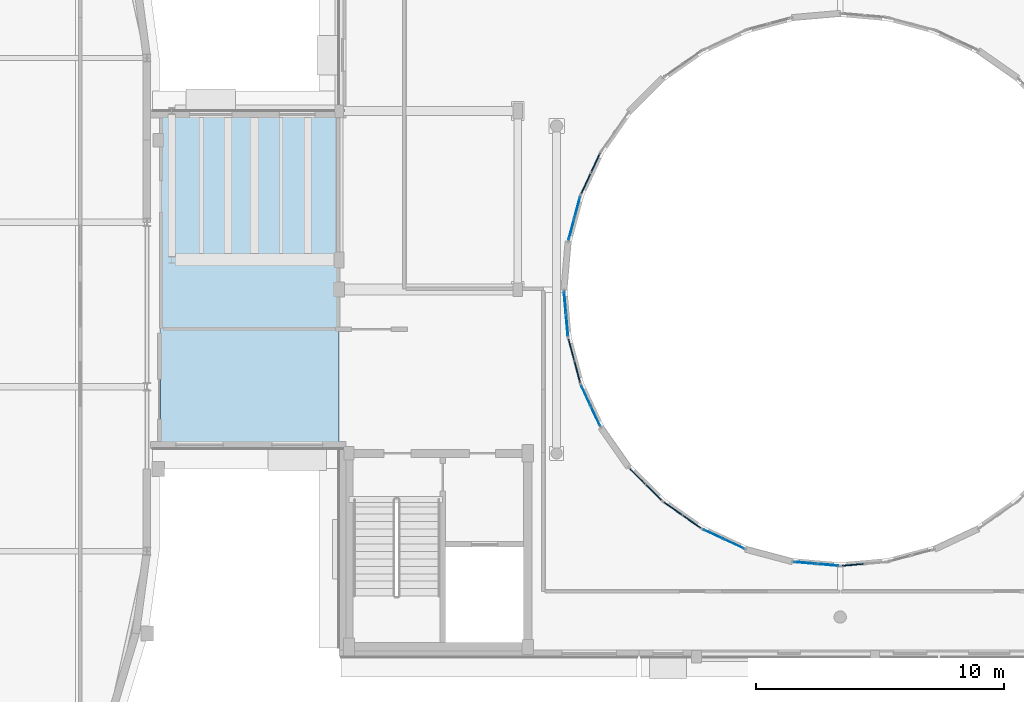
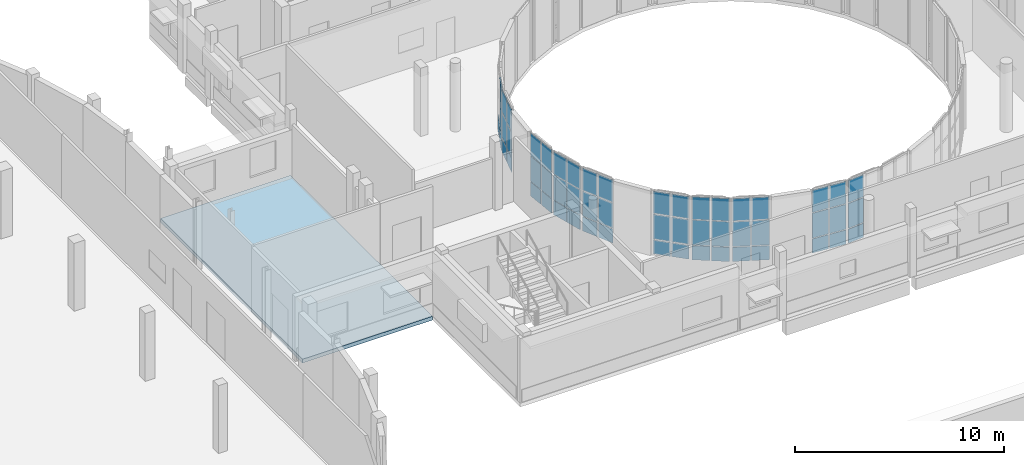
# One storey, part 62 of 105: 55 plates, 1 slab, 10 elements without a shape of their own.
"""IFC4 building model written with IfcOpenShell, lengths in metres."""

from ifc_helpers import new_model, si_unit, direction, frame, origin, origin_2d, place, context, subcontext, project, spatial, polyline, rectangle, outline, extrude, material, layer, layer_set, type_object, element, aggregate, save


model = new_model("IFC4")

# Units and contexts
model_context = context("Model", 3, precision=1e-05, world=origin(), true_north=direction((0.0, 1.0)))
body_context = subcontext(model_context, "Body", "Model", "MODEL_VIEW")
ifc_project = project(units=[si_unit("LENGTHUNIT", "METRE"), si_unit("AREAUNIT", "SQUARE_METRE"), si_unit("VOLUMEUNIT", "CUBIC_METRE"), si_unit("PLANEANGLEUNIT", "RADIAN"), si_unit("MASSUNIT", "GRAM", prefix="KILO")], contexts=[model_context])

# Site, building, storey
site_placement = place(None, origin())
site = spatial("IfcSite", under=ifc_project, at=site_placement, CompositionType="ELEMENT")
building_placement = place(site_placement, origin())
building = spatial("IfcBuilding", under=site, at=building_placement, Name="Kelanivale Promenade Academy", CompositionType="ELEMENT")
storey_placement = place(building_placement, frame((0.0, 0.0, 4.199951171875)))
storey = spatial("IfcBuildingStorey", under=building, at=storey_placement, Name="L01", CompositionType="ELEMENT", Elevation=4.199951171875)

# Curtain wall, plates
ifc_material_1 = material(Name="Bronze anodised aluminium and solar-control low-E glass", Category="aluminium")
ifc_layer_1 = layer(ifc_material_1, 0.169921875)
ifc_layer_set_1 = layer_set([ifc_layer_1], Name="Bronze anodised aluminium and solar-control low-E glass")
curtain_wall_type_1 = type_object("IfcCurtainWallType", Name="CW-16 Curtain Wall 1800mm Module", PredefinedType="USERDEFINED", material=ifc_layer_set_1)
curtain_wall_1_placement = place(storey_placement, origin())
curtain_wall_1 = element("IfcCurtainWall", 1, at=curtain_wall_1_placement, inside=storey, type_object=curtain_wall_type_1, Name="L01 courtyard curtain wall CW-16", ObjectType="COURTYARD SCREEN GLAZING", PredefinedType="USERDEFINED")
ifc_material_2 = material(Name="Solar-control double glazing 28 mm", Category="glass")
ifc_layer_2 = layer(ifc_material_2, 0.028076171875)
ifc_layer_set_2 = layer_set([ifc_layer_2], Name="Solar-control double glazing 28 mm")
plate_type_1 = type_object("IfcPlateType", Name="CWP-01 Plate 28mm", PredefinedType="CURTAIN_PANEL", material=ifc_layer_set_2)
plate_1_placement = place(storey_placement, frame((52.80078125, 60.122802734375, 0.06005859375), z_axis=(0.0, 0.0, 1.0), x_axis=(-0.258578458902, -0.965990259056, 0.0)))
plate_1 = element("IfcPlate", 2, at=plate_1_placement, type_object=plate_type_1, Name="CW-16 panel 1.1", PredefinedType="CURTAIN_PANEL", context=body_context, shape_type="SweptSolid", body=[
    extrude(rectangle(XDim=0.853759765625, YDim=0.028076171875, at=origin_2d()), origin(), (0.0, 0.0, 1.0), 0.81005859375),
])
plate_2_placement = place(storey_placement, frame((52.80078125, 60.122802734375, 0.93017578125), z_axis=(0.0, 0.0, 1.0), x_axis=(-0.258578458902, -0.965990259056, 0.0)))
plate_2 = element("IfcPlate", 3, at=plate_2_placement, type_object=plate_type_1, Name="CW-16 panel 1.2", PredefinedType="CURTAIN_PANEL", context=body_context, shape_type="SweptSolid", body=[
    extrude(rectangle(XDim=0.853759765625, YDim=0.028076171875, at=origin_2d()), origin(), (0.0, 0.0, 1.0), 1.43994140625),
])
plate_3_placement = place(storey_placement, frame((52.80078125, 60.122802734375, 2.429931640625), z_axis=(0.0, 0.0, 1.0), x_axis=(-0.258578458902, -0.965990259056, 0.0)))
plate_3 = element("IfcPlate", 4, at=plate_3_placement, type_object=plate_type_1, Name="CW-16 panel 1.3", PredefinedType="CURTAIN_PANEL", context=body_context, shape_type="SweptSolid", body=[
    extrude(rectangle(XDim=0.853759765625, YDim=0.028076171875, at=origin_2d()), origin(), (0.0, 0.0, 1.0), 1.2900390625),
])
plate_4_placement = place(storey_placement, frame((52.563232421875, 59.235107421875, 0.06005859375), z_axis=(0.0, 0.0, 1.0), x_axis=(-0.258578458902, -0.965990259056, 0.0)))
plate_4 = element("IfcPlate", 5, at=plate_4_placement, type_object=plate_type_1, Name="CW-16 panel 2.1", PredefinedType="CURTAIN_PANEL", context=body_context, shape_type="SweptSolid", body=[
    extrude(rectangle(XDim=0.853759765625, YDim=0.028076171875, at=origin_2d()), origin(), (0.0, 0.0, 1.0), 0.81005859375),
])
plate_5_placement = place(storey_placement, frame((52.563232421875, 59.235107421875, 0.93017578125), z_axis=(0.0, 0.0, 1.0), x_axis=(-0.258578458902, -0.965990259056, 0.0)))
plate_5 = element("IfcPlate", 6, at=plate_5_placement, type_object=plate_type_1, Name="CW-16 panel 2.2", PredefinedType="CURTAIN_PANEL", context=body_context, shape_type="SweptSolid", body=[
    extrude(rectangle(XDim=0.853759765625, YDim=0.028076171875, at=origin_2d()), origin(), (0.0, 0.0, 1.0), 1.43994140625),
])
plate_6_placement = place(storey_placement, frame((52.563232421875, 59.235107421875, 2.429931640625), z_axis=(0.0, 0.0, 1.0), x_axis=(-0.258578458902, -0.965990259056, 0.0)))
plate_6 = element("IfcPlate", 7, at=plate_6_placement, type_object=plate_type_1, Name="CW-16 panel 2.3", PredefinedType="CURTAIN_PANEL", context=body_context, shape_type="SweptSolid", body=[
    extrude(rectangle(XDim=0.853759765625, YDim=0.028076171875, at=origin_2d()), origin(), (0.0, 0.0, 1.0), 1.2900390625),
])
aggregate(curtain_wall_1, [plate_1, plate_2, plate_3, plate_4, plate_5, plate_6])

ifc_layer_3 = layer(ifc_material_1, 0.169921875)
ifc_layer_set_3 = layer_set([ifc_layer_3], Name="Bronze anodised aluminium and solar-control low-E glass")
curtain_wall_type_2 = type_object("IfcCurtainWallType", Name="CW-19 Curtain Wall 1350mm Module", PredefinedType="USERDEFINED", material=ifc_layer_set_3)
curtain_wall_2_placement = place(storey_placement, origin())
curtain_wall_2 = element("IfcCurtainWall", 8, at=curtain_wall_2_placement, inside=storey, type_object=curtain_wall_type_2, Name="L01 courtyard curtain wall CW-19", ObjectType="COURTYARD SCREEN GLAZING", PredefinedType="USERDEFINED")
plate_7_placement = place(storey_placement, frame((53.14404296875, 52.533203125, 0.05029296875), z_axis=(0.0, 0.0, 1.0), x_axis=(0.423086860887, -0.906089128146, 0.0)))
plate_7 = element("IfcPlate", 9, at=plate_7_placement, type_object=plate_type_1, Name="CW-19 panel 1.1", PredefinedType="CURTAIN_PANEL", context=body_context, shape_type="SweptSolid", body=[
    extrude(rectangle(XDim=0.853759765625, YDim=0.028076171875, at=origin_2d()), origin(), (0.0, 0.0, 1.0), 0.824951171875),
])
plate_8_placement = place(storey_placement, frame((53.14404296875, 52.533203125, 0.92529296875), z_axis=(0.0, 0.0, 1.0), x_axis=(0.423086860887, -0.906089128146, 0.0)))
plate_8 = element("IfcPlate", 10, at=plate_8_placement, type_object=plate_type_1, Name="CW-19 panel 1.2", PredefinedType="CURTAIN_PANEL", context=body_context, shape_type="SweptSolid", body=[
    extrude(rectangle(XDim=0.853759765625, YDim=0.028076171875, at=origin_2d()), origin(), (0.0, 0.0, 1.0), 1.449951171875),
])
plate_9_placement = place(storey_placement, frame((53.14404296875, 52.533203125, 2.42529296875), z_axis=(0.0, 0.0, 1.0), x_axis=(0.423086860887, -0.906089128146, 0.0)))
plate_9 = element("IfcPlate", 11, at=plate_9_placement, type_object=plate_type_1, Name="CW-19 panel 1.3", PredefinedType="CURTAIN_PANEL", context=body_context, shape_type="SweptSolid", body=[
    extrude(rectangle(XDim=0.853759765625, YDim=0.028076171875, at=origin_2d()), origin(), (0.0, 0.0, 1.0), 1.304931640625),
])
plate_10_placement = place(storey_placement, frame((53.532958984375, 51.70068359375, 0.05029296875), z_axis=(0.0, 0.0, 1.0), x_axis=(0.423086860887, -0.906089128146, 0.0)))
plate_10 = element("IfcPlate", 12, at=plate_10_placement, type_object=plate_type_1, Name="CW-19 panel 2.1", PredefinedType="CURTAIN_PANEL", context=body_context, shape_type="SweptSolid", body=[
    extrude(rectangle(XDim=0.853759765625, YDim=0.028076171875, at=origin_2d()), origin(), (0.0, 0.0, 1.0), 0.824951171875),
])
plate_11_placement = place(storey_placement, frame((53.532958984375, 51.70068359375, 0.92529296875), z_axis=(0.0, 0.0, 1.0), x_axis=(0.423086860887, -0.906089128146, 0.0)))
plate_11 = element("IfcPlate", 13, at=plate_11_placement, type_object=plate_type_1, Name="CW-19 panel 2.2", PredefinedType="CURTAIN_PANEL", context=body_context, shape_type="SweptSolid", body=[
    extrude(rectangle(XDim=0.853759765625, YDim=0.028076171875, at=origin_2d()), origin(), (0.0, 0.0, 1.0), 1.449951171875),
])
plate_12_placement = place(storey_placement, frame((53.532958984375, 51.70068359375, 2.42529296875), z_axis=(0.0, 0.0, 1.0), x_axis=(0.423086860887, -0.906089128146, 0.0)))
plate_12 = element("IfcPlate", 14, at=plate_12_placement, type_object=plate_type_1, Name="CW-19 panel 2.3", PredefinedType="CURTAIN_PANEL", context=body_context, shape_type="SweptSolid", body=[
    extrude(rectangle(XDim=0.853759765625, YDim=0.028076171875, at=origin_2d()), origin(), (0.0, 0.0, 1.0), 1.304931640625),
])
aggregate(curtain_wall_2, [plate_7, plate_8, plate_9, plate_10, plate_11, plate_12])

ifc_layer_4 = layer(ifc_material_1, 0.169921875)
ifc_layer_set_4 = layer_set([ifc_layer_4], Name="Bronze anodised aluminium and solar-control low-E glass")
curtain_wall_type_3 = type_object("IfcCurtainWallType", Name="CW-22 Curtain Wall 1800mm Module", PredefinedType="USERDEFINED", material=ifc_layer_set_4)
curtain_wall_3_placement = place(storey_placement, origin())
curtain_wall_3 = element("IfcCurtainWall", 15, at=curtain_wall_3_placement, inside=storey, type_object=curtain_wall_type_3, Name="L01 courtyard curtain wall CW-22", ObjectType="COURTYARD SCREEN GLAZING", PredefinedType="USERDEFINED")
plate_13_placement = place(storey_placement, frame((58.28564453125, 46.939453125, 0.05029296875), z_axis=(0.0, 0.0, 1.0), x_axis=(0.906089128146, -0.423086860887, 0.0)))
plate_13 = element("IfcPlate", 16, at=plate_13_placement, type_object=plate_type_1, Name="CW-22 panel 1.1", PredefinedType="CURTAIN_PANEL", context=body_context, shape_type="SweptSolid", body=[
    extrude(rectangle(XDim=0.861328125, YDim=0.028076171875, at=origin_2d()), origin(), (0.0, 0.0, 1.0), 0.824951171875),
])
plate_14_placement = place(storey_placement, frame((58.28564453125, 46.939453125, 0.92529296875), z_axis=(0.0, 0.0, 1.0), x_axis=(0.906089128146, -0.423086860887, 0.0)))
plate_14 = element("IfcPlate", 17, at=plate_14_placement, type_object=plate_type_1, Name="CW-22 panel 1.2", PredefinedType="CURTAIN_PANEL", context=body_context, shape_type="SweptSolid", body=[
    extrude(rectangle(XDim=0.861328125, YDim=0.028076171875, at=origin_2d()), origin(), (0.0, 0.0, 1.0), 1.449951171875),
])
plate_15_placement = place(storey_placement, frame((58.28564453125, 46.939453125, 2.42529296875), z_axis=(0.0, 0.0, 1.0), x_axis=(0.906089128146, -0.423086860887, 0.0)))
plate_15 = element("IfcPlate", 18, at=plate_15_placement, type_object=plate_type_1, Name="CW-22 panel 1.3", PredefinedType="CURTAIN_PANEL", context=body_context, shape_type="SweptSolid", body=[
    extrude(rectangle(XDim=0.861328125, YDim=0.028076171875, at=origin_2d()), origin(), (0.0, 0.0, 1.0), 1.304931640625),
])
plate_16_placement = place(storey_placement, frame((59.120361328125, 46.549560546875, 0.05029296875), z_axis=(0.0, 0.0, 1.0), x_axis=(0.906089128146, -0.423086860887, 0.0)))
plate_16 = element("IfcPlate", 19, at=plate_16_placement, type_object=plate_type_1, Name="CW-22 panel 2.1", PredefinedType="CURTAIN_PANEL", context=body_context, shape_type="SweptSolid", body=[
    extrude(rectangle(XDim=0.861328125, YDim=0.028076171875, at=origin_2d()), origin(), (0.0, 0.0, 1.0), 0.824951171875),
])
plate_17_placement = place(storey_placement, frame((59.120361328125, 46.549560546875, 0.92529296875), z_axis=(0.0, 0.0, 1.0), x_axis=(0.906089128146, -0.423086860887, 0.0)))
plate_17 = element("IfcPlate", 20, at=plate_17_placement, type_object=plate_type_1, Name="CW-22 panel 2.2", PredefinedType="CURTAIN_PANEL", context=body_context, shape_type="SweptSolid", body=[
    extrude(rectangle(XDim=0.861328125, YDim=0.028076171875, at=origin_2d()), origin(), (0.0, 0.0, 1.0), 1.449951171875),
])
plate_18_placement = place(storey_placement, frame((59.120361328125, 46.549560546875, 2.42529296875), z_axis=(0.0, 0.0, 1.0), x_axis=(0.906089128146, -0.423086860887, 0.0)))
plate_18 = element("IfcPlate", 21, at=plate_18_placement, type_object=plate_type_1, Name="CW-22 panel 2.3", PredefinedType="CURTAIN_PANEL", context=body_context, shape_type="SweptSolid", body=[
    extrude(rectangle(XDim=0.861328125, YDim=0.028076171875, at=origin_2d()), origin(), (0.0, 0.0, 1.0), 1.304931640625),
])
aggregate(curtain_wall_3, [plate_13, plate_14, plate_15, plate_16, plate_17, plate_18])

ifc_layer_5 = layer(ifc_material_1, 0.179931640625)
ifc_layer_set_5 = layer_set([ifc_layer_5], Name="Bronze anodised aluminium and solar-control low-E glass")
curtain_wall_type_4 = type_object("IfcCurtainWallType", Name="CW-17 Curtain Wall 1950mm Module", PredefinedType="USERDEFINED", material=ifc_layer_set_5)
curtain_wall_4_placement = place(storey_placement, origin())
curtain_wall_4 = element("IfcCurtainWall", 22, at=curtain_wall_4_placement, inside=storey, type_object=curtain_wall_type_4, Name="L01 courtyard curtain wall CW-17", ObjectType="COURTYARD SCREEN GLAZING", PredefinedType="USERDEFINED")
ifc_material_3 = material(Name="Acoustic laminated double glazing 36 mm", Category="glass")
ifc_layer_6 = layer(ifc_material_3, 0.035888671875)
ifc_layer_set_6 = layer_set([ifc_layer_6], Name="Acoustic laminated double glazing 36 mm")
plate_type_2 = type_object("IfcPlateType", Name="CWP-02 Plate 36mm", PredefinedType="CURTAIN_PANEL", material=ifc_layer_set_6)
plate_19_placement = place(storey_placement, frame((52.3046875, 56.284423828125, 0.05029296875), z_axis=(0.0, 0.0, 1.0), x_axis=(0.087264768066, -0.996185153601, 0.0)))
plate_19 = element("IfcPlate", 23, at=plate_19_placement, type_object=plate_type_2, Name="CW-17 panel 1.1", PredefinedType="CURTAIN_PANEL", context=body_context, shape_type="SweptSolid", body=[
    extrude(rectangle(XDim=0.861083984375, YDim=0.035888671875, at=origin_2d()), origin(), (0.0, 0.0, 1.0), 0.824951171875),
])
plate_20_placement = place(storey_placement, frame((52.3046875, 56.284423828125, 0.92529296875), z_axis=(0.0, 0.0, 1.0), x_axis=(0.087264768066, -0.996185153601, 0.0)))
plate_20 = element("IfcPlate", 24, at=plate_20_placement, type_object=plate_type_2, Name="CW-17 panel 1.2", PredefinedType="CURTAIN_PANEL", context=body_context, shape_type="SweptSolid", body=[
    extrude(rectangle(XDim=0.861083984375, YDim=0.035888671875, at=origin_2d()), origin(), (0.0, 0.0, 1.0), 1.449951171875),
])
plate_21_placement = place(storey_placement, frame((52.3046875, 56.284423828125, 2.42529296875), z_axis=(0.0, 0.0, 1.0), x_axis=(0.087264768066, -0.996185153601, 0.0)))
plate_21 = element("IfcPlate", 25, at=plate_21_placement, type_object=plate_type_2, Name="CW-17 panel 1.3", PredefinedType="CURTAIN_PANEL", context=body_context, shape_type="SweptSolid", body=[
    extrude(rectangle(XDim=0.861083984375, YDim=0.035888671875, at=origin_2d()), origin(), (0.0, 0.0, 1.0), 1.304931640625),
])
plate_22_placement = place(storey_placement, frame((52.38525390625, 55.36669921875, 0.05029296875), z_axis=(0.0, 0.0, 1.0), x_axis=(0.087264768066, -0.996185153601, 0.0)))
plate_22 = element("IfcPlate", 26, at=plate_22_placement, type_object=plate_type_2, Name="CW-17 panel 2.1", PredefinedType="CURTAIN_PANEL", context=body_context, shape_type="SweptSolid", body=[
    extrude(rectangle(XDim=0.861083984375, YDim=0.035888671875, at=origin_2d()), origin(), (0.0, 0.0, 1.0), 0.824951171875),
])
plate_23_placement = place(storey_placement, frame((52.38525390625, 55.36669921875, 0.92529296875), z_axis=(0.0, 0.0, 1.0), x_axis=(0.087264768066, -0.996185153601, 0.0)))
plate_23 = element("IfcPlate", 27, at=plate_23_placement, type_object=plate_type_2, Name="CW-17 panel 2.2", PredefinedType="CURTAIN_PANEL", context=body_context, shape_type="SweptSolid", body=[
    extrude(rectangle(XDim=0.861083984375, YDim=0.035888671875, at=origin_2d()), origin(), (0.0, 0.0, 1.0), 1.449951171875),
])
plate_24_placement = place(storey_placement, frame((52.38525390625, 55.36669921875, 2.42529296875), z_axis=(0.0, 0.0, 1.0), x_axis=(0.087264768066, -0.996185153601, 0.0)))
plate_24 = element("IfcPlate", 28, at=plate_24_placement, type_object=plate_type_2, Name="CW-17 panel 2.3", PredefinedType="CURTAIN_PANEL", context=body_context, shape_type="SweptSolid", body=[
    extrude(rectangle(XDim=0.861083984375, YDim=0.035888671875, at=origin_2d()), origin(), (0.0, 0.0, 1.0), 1.304931640625),
])
aggregate(curtain_wall_4, [plate_19, plate_20, plate_21, plate_22, plate_23, plate_24])

ifc_layer_7 = layer(ifc_material_1, 0.179931640625)
ifc_layer_set_7 = layer_set([ifc_layer_7], Name="Bronze anodised aluminium and solar-control low-E glass")
curtain_wall_type_5 = type_object("IfcCurtainWallType", Name="CW-20 Curtain Wall 1500mm Module", PredefinedType="USERDEFINED", material=ifc_layer_set_7)
curtain_wall_5_placement = place(storey_placement, origin())
curtain_wall_5 = element("IfcCurtainWall", 29, at=curtain_wall_5_placement, inside=storey, type_object=curtain_wall_type_5, Name="L01 courtyard curtain wall CW-20", ObjectType="COURTYARD SCREEN GLAZING", PredefinedType="USERDEFINED")
plate_25_placement = place(storey_placement, frame((55.2333984375, 49.271484375, 0.06005859375), z_axis=(0.0, 0.0, 1.0), x_axis=(0.707106781187, -0.707106781187, 0.0)))
plate_25 = element("IfcPlate", 30, at=plate_25_placement, type_object=plate_type_2, Name="CW-20 panel 1.1", PredefinedType="CURTAIN_PANEL", context=body_context, shape_type="SweptSolid", body=[
    extrude(rectangle(XDim=0.852783203125, YDim=0.035888671875, at=origin_2d()), origin(), (0.0, 0.0, 1.0), 0.81005859375),
])
plate_26_placement = place(storey_placement, frame((55.2333984375, 49.271484375, 0.93017578125), z_axis=(0.0, 0.0, 1.0), x_axis=(0.707106781187, -0.707106781187, 0.0)))
plate_26 = element("IfcPlate", 31, at=plate_26_placement, type_object=plate_type_2, Name="CW-20 panel 1.2", PredefinedType="CURTAIN_PANEL", context=body_context, shape_type="SweptSolid", body=[
    extrude(rectangle(XDim=0.852783203125, YDim=0.035888671875, at=origin_2d()), origin(), (0.0, 0.0, 1.0), 1.43994140625),
])
plate_27_placement = place(storey_placement, frame((55.2333984375, 49.271484375, 2.429931640625), z_axis=(0.0, 0.0, 1.0), x_axis=(0.707106781187, -0.707106781187, 0.0)))
plate_27 = element("IfcPlate", 32, at=plate_27_placement, type_object=plate_type_2, Name="CW-20 panel 1.3", PredefinedType="CURTAIN_PANEL", context=body_context, shape_type="SweptSolid", body=[
    extrude(rectangle(XDim=0.852783203125, YDim=0.035888671875, at=origin_2d()), origin(), (0.0, 0.0, 1.0), 1.2900390625),
])
plate_28_placement = place(storey_placement, frame((55.882568359375, 48.62255859375, 0.06005859375), z_axis=(0.0, 0.0, 1.0), x_axis=(0.707106781187, -0.707106781187, 0.0)))
plate_28 = element("IfcPlate", 33, at=plate_28_placement, type_object=plate_type_2, Name="CW-20 panel 2.1", PredefinedType="CURTAIN_PANEL", context=body_context, shape_type="SweptSolid", body=[
    extrude(rectangle(XDim=0.852783203125, YDim=0.035888671875, at=origin_2d()), origin(), (0.0, 0.0, 1.0), 0.81005859375),
])
plate_29_placement = place(storey_placement, frame((55.882568359375, 48.62255859375, 0.93017578125), z_axis=(0.0, 0.0, 1.0), x_axis=(0.707106781187, -0.707106781187, 0.0)))
plate_29 = element("IfcPlate", 34, at=plate_29_placement, type_object=plate_type_2, Name="CW-20 panel 2.2", PredefinedType="CURTAIN_PANEL", context=body_context, shape_type="SweptSolid", body=[
    extrude(rectangle(XDim=0.852783203125, YDim=0.035888671875, at=origin_2d()), origin(), (0.0, 0.0, 1.0), 1.43994140625),
])
plate_30_placement = place(storey_placement, frame((55.882568359375, 48.62255859375, 2.429931640625), z_axis=(0.0, 0.0, 1.0), x_axis=(0.707106781187, -0.707106781187, 0.0)))
plate_30 = element("IfcPlate", 35, at=plate_30_placement, type_object=plate_type_2, Name="CW-20 panel 2.3", PredefinedType="CURTAIN_PANEL", context=body_context, shape_type="SweptSolid", body=[
    extrude(rectangle(XDim=0.852783203125, YDim=0.035888671875, at=origin_2d()), origin(), (0.0, 0.0, 1.0), 1.2900390625),
])
aggregate(curtain_wall_5, [plate_25, plate_26, plate_27, plate_28, plate_29, plate_30])

ifc_layer_8 = layer(ifc_material_1, 0.179931640625)
ifc_layer_set_8 = layer_set([ifc_layer_8], Name="Bronze anodised aluminium and solar-control low-E glass")
curtain_wall_type_6 = type_object("IfcCurtainWallType", Name="CW-23 Curtain Wall 1950mm Module", PredefinedType="USERDEFINED", material=ifc_layer_set_8)
curtain_wall_6_placement = place(storey_placement, origin())
curtain_wall_6 = element("IfcCurtainWall", 36, at=curtain_wall_6_placement, inside=storey, type_object=curtain_wall_type_6, Name="L01 courtyard curtain wall CW-23", ObjectType="COURTYARD SCREEN GLAZING", PredefinedType="USERDEFINED")
plate_31_placement = place(storey_placement, frame((61.98291015625, 45.7841796875, 0.05029296875), z_axis=(0.0, 0.0, 1.0), x_axis=(0.996185153601, -0.087264768066, 0.0)))
plate_31 = element("IfcPlate", 37, at=plate_31_placement, type_object=plate_type_2, Name="CW-23 panel 1.1", PredefinedType="CURTAIN_PANEL", context=body_context, shape_type="SweptSolid", body=[
    extrude(rectangle(XDim=0.853515625, YDim=0.035888671875, at=origin_2d()), origin(), (0.0, 0.0, 1.0), 0.824951171875),
])
plate_32_placement = place(storey_placement, frame((61.98291015625, 45.7841796875, 0.92529296875), z_axis=(0.0, 0.0, 1.0), x_axis=(0.996185153601, -0.087264768066, 0.0)))
plate_32 = element("IfcPlate", 38, at=plate_32_placement, type_object=plate_type_2, Name="CW-23 panel 1.2", PredefinedType="CURTAIN_PANEL", context=body_context, shape_type="SweptSolid", body=[
    extrude(rectangle(XDim=0.853515625, YDim=0.035888671875, at=origin_2d()), origin(), (0.0, 0.0, 1.0), 1.449951171875),
])
plate_33_placement = place(storey_placement, frame((61.98291015625, 45.7841796875, 2.42529296875), z_axis=(0.0, 0.0, 1.0), x_axis=(0.996185153601, -0.087264768066, 0.0)))
plate_33 = element("IfcPlate", 39, at=plate_33_placement, type_object=plate_type_2, Name="CW-23 panel 1.3", PredefinedType="CURTAIN_PANEL", context=body_context, shape_type="SweptSolid", body=[
    extrude(rectangle(XDim=0.853515625, YDim=0.035888671875, at=origin_2d()), origin(), (0.0, 0.0, 1.0), 1.304931640625),
])
plate_34_placement = place(storey_placement, frame((62.89794921875, 45.703857421875, 0.05029296875), z_axis=(0.0, 0.0, 1.0), x_axis=(0.996185153601, -0.087264768066, 0.0)))
plate_34 = element("IfcPlate", 40, at=plate_34_placement, type_object=plate_type_2, Name="CW-23 panel 2.1", PredefinedType="CURTAIN_PANEL", context=body_context, shape_type="SweptSolid", body=[
    extrude(rectangle(XDim=0.853515625, YDim=0.035888671875, at=origin_2d()), origin(), (0.0, 0.0, 1.0), 0.824951171875),
])
plate_35_placement = place(storey_placement, frame((62.89794921875, 45.703857421875, 0.92529296875), z_axis=(0.0, 0.0, 1.0), x_axis=(0.996185153601, -0.087264768066, 0.0)))
plate_35 = element("IfcPlate", 41, at=plate_35_placement, type_object=plate_type_2, Name="CW-23 panel 2.2", PredefinedType="CURTAIN_PANEL", context=body_context, shape_type="SweptSolid", body=[
    extrude(rectangle(XDim=0.853515625, YDim=0.035888671875, at=origin_2d()), origin(), (0.0, 0.0, 1.0), 1.449951171875),
])
plate_36_placement = place(storey_placement, frame((62.89794921875, 45.703857421875, 2.42529296875), z_axis=(0.0, 0.0, 1.0), x_axis=(0.996185153601, -0.087264768066, 0.0)))
plate_36 = element("IfcPlate", 42, at=plate_36_placement, type_object=plate_type_2, Name="CW-23 panel 2.3", PredefinedType="CURTAIN_PANEL", context=body_context, shape_type="SweptSolid", body=[
    extrude(rectangle(XDim=0.853515625, YDim=0.035888671875, at=origin_2d()), origin(), (0.0, 0.0, 1.0), 1.304931640625),
])
aggregate(curtain_wall_6, [plate_31, plate_32, plate_33, plate_34, plate_35, plate_36])

ifc_layer_9 = layer(ifc_material_1, 0.159912109375)
ifc_layer_set_9 = layer_set([ifc_layer_9], Name="Bronze anodised aluminium and solar-control low-E glass")
curtain_wall_type_7 = type_object("IfcCurtainWallType", Name="CW-15 Curtain Wall 1650mm Module", PredefinedType="USERDEFINED", material=ifc_layer_set_9)
curtain_wall_7_placement = place(storey_placement, origin())
curtain_wall_7 = element("IfcCurtainWall", 43, at=curtain_wall_7_placement, inside=storey, type_object=curtain_wall_type_7, Name="L01 courtyard curtain wall CW-15", ObjectType="COURTYARD SCREEN GLAZING", PredefinedType="USERDEFINED")
ifc_material_4 = material(Name="Insulated bronze aluminium spandrel panel 44 mm", Category="aluminium")
ifc_layer_10 = layer(ifc_material_4, 0.0439453125)
ifc_layer_set_10 = layer_set([ifc_layer_10], Name="Insulated bronze aluminium spandrel panel 44 mm")
plate_type_3 = type_object("IfcPlateType", Name="CWP-03 Plate 44mm", PredefinedType="CURTAIN_PANEL", material=ifc_layer_set_10)
plate_37_placement = place(storey_placement, frame((53.537353515625, 61.90966796875, 0.05029296875), z_axis=(0.0, 0.0, 1.0), x_axis=(-0.422856921222, -0.906196460032, 0.0)))
plate_37 = element("IfcPlate", 44, at=plate_37_placement, type_object=plate_type_3, Name="CW-15 panel 1.1", PredefinedType="CURTAIN_PANEL", context=body_context, shape_type="SweptSolid", body=[
    extrude(rectangle(XDim=0.861572265625, YDim=0.0439453125, at=origin_2d()), origin(), (0.0, 0.0, 1.0), 0.824951171875),
])
plate_38_placement = place(storey_placement, frame((53.1455078125, 61.0703125, 0.05029296875), z_axis=(0.0, 0.0, 1.0), x_axis=(-0.422856921222, -0.906196460032, 0.0)))
plate_38 = element("IfcPlate", 45, at=plate_38_placement, type_object=plate_type_3, Name="CW-15 panel 2.1", PredefinedType="CURTAIN_PANEL", context=body_context, shape_type="SweptSolid", body=[
    extrude(rectangle(XDim=0.861572265625, YDim=0.0439453125, at=origin_2d()), origin(), (0.0, 0.0, 1.0), 0.824951171875),
])
plate_39_placement = place(storey_placement, frame((53.1455078125, 61.0703125, 0.92529296875), z_axis=(0.0, 0.0, 1.0), x_axis=(-0.422856921222, -0.906196460032, 0.0)))
plate_39 = element("IfcPlate", 46, at=plate_39_placement, type_object=plate_type_3, Name="CW-15 panel 2.2", PredefinedType="CURTAIN_PANEL", context=body_context, shape_type="SweptSolid", body=[
    extrude(rectangle(XDim=0.861572265625, YDim=0.0439453125, at=origin_2d()), origin(), (0.0, 0.0, 1.0), 1.449951171875),
])
plate_40_placement = place(storey_placement, frame((53.1455078125, 61.0703125, 2.42529296875), z_axis=(0.0, 0.0, 1.0), x_axis=(-0.422856921222, -0.906196460032, 0.0)))
plate_40 = element("IfcPlate", 47, at=plate_40_placement, type_object=plate_type_3, Name="CW-15 panel 2.3", PredefinedType="CURTAIN_PANEL", context=body_context, shape_type="SweptSolid", body=[
    extrude(rectangle(XDim=0.861572265625, YDim=0.0439453125, at=origin_2d()), origin(), (0.0, 0.0, 1.0), 1.304931640625),
])
aggregate(curtain_wall_7, [plate_37, plate_38, plate_39, plate_40])

ifc_layer_11 = layer(ifc_material_1, 0.159912109375)
ifc_layer_set_11 = layer_set([ifc_layer_11], Name="Bronze anodised aluminium and solar-control low-E glass")
curtain_wall_type_8 = type_object("IfcCurtainWallType", Name="CW-18 Curtain Wall 1200mm Module", PredefinedType="USERDEFINED", material=ifc_layer_set_11)
curtain_wall_8_placement = place(storey_placement, origin())
curtain_wall_8 = element("IfcCurtainWall", 48, at=curtain_wall_8_placement, inside=storey, type_object=curtain_wall_type_8, Name="L01 courtyard curtain wall CW-18", ObjectType="COURTYARD SCREEN GLAZING", PredefinedType="USERDEFINED")
plate_41_placement = place(storey_placement, frame((52.559814453125, 54.37646484375, 0.05029296875), z_axis=(0.0, 0.0, 1.0), x_axis=(0.258701323721, -0.96595736195, 0.0)))
plate_41 = element("IfcPlate", 49, at=plate_41_placement, type_object=plate_type_3, Name="CW-18 panel 1.1", PredefinedType="CURTAIN_PANEL", context=body_context, shape_type="SweptSolid", body=[
    extrude(rectangle(XDim=0.86865234375, YDim=0.0439453125, at=origin_2d()), origin(), (0.0, 0.0, 1.0), 0.824951171875),
])
plate_42_placement = place(storey_placement, frame((52.559814453125, 54.37646484375, 0.92529296875), z_axis=(0.0, 0.0, 1.0), x_axis=(0.258701323721, -0.96595736195, 0.0)))
plate_42 = element("IfcPlate", 50, at=plate_42_placement, type_object=plate_type_3, Name="CW-18 panel 1.2", PredefinedType="CURTAIN_PANEL", context=body_context, shape_type="SweptSolid", body=[
    extrude(rectangle(XDim=0.86865234375, YDim=0.0439453125, at=origin_2d()), origin(), (0.0, 0.0, 1.0), 1.449951171875),
])
plate_43_placement = place(storey_placement, frame((52.559814453125, 54.37646484375, 2.42529296875), z_axis=(0.0, 0.0, 1.0), x_axis=(0.258701323721, -0.96595736195, 0.0)))
plate_43 = element("IfcPlate", 51, at=plate_43_placement, type_object=plate_type_3, Name="CW-18 panel 1.3", PredefinedType="CURTAIN_PANEL", context=body_context, shape_type="SweptSolid", body=[
    extrude(rectangle(XDim=0.86865234375, YDim=0.0439453125, at=origin_2d()), origin(), (0.0, 0.0, 1.0), 1.304931640625),
])
plate_44_placement = place(storey_placement, frame((52.800048828125, 53.4794921875, 0.05029296875), z_axis=(0.0, 0.0, 1.0), x_axis=(0.258701323721, -0.96595736195, 0.0)))
plate_44 = element("IfcPlate", 52, at=plate_44_placement, type_object=plate_type_3, Name="CW-18 panel 2.1", PredefinedType="CURTAIN_PANEL", context=body_context, shape_type="SweptSolid", body=[
    extrude(rectangle(XDim=0.86865234375, YDim=0.0439453125, at=origin_2d()), origin(), (0.0, 0.0, 1.0), 0.824951171875),
])
plate_45_placement = place(storey_placement, frame((52.800048828125, 53.4794921875, 0.92529296875), z_axis=(0.0, 0.0, 1.0), x_axis=(0.258701323721, -0.96595736195, 0.0)))
plate_45 = element("IfcPlate", 53, at=plate_45_placement, type_object=plate_type_3, Name="CW-18 panel 2.2", PredefinedType="CURTAIN_PANEL", context=body_context, shape_type="SweptSolid", body=[
    extrude(rectangle(XDim=0.86865234375, YDim=0.0439453125, at=origin_2d()), origin(), (0.0, 0.0, 1.0), 1.449951171875),
])
plate_46_placement = place(storey_placement, frame((52.800048828125, 53.4794921875, 2.42529296875), z_axis=(0.0, 0.0, 1.0), x_axis=(0.258701323721, -0.96595736195, 0.0)))
plate_46 = element("IfcPlate", 54, at=plate_46_placement, type_object=plate_type_3, Name="CW-18 panel 2.3", PredefinedType="CURTAIN_PANEL", context=body_context, shape_type="SweptSolid", body=[
    extrude(rectangle(XDim=0.86865234375, YDim=0.0439453125, at=origin_2d()), origin(), (0.0, 0.0, 1.0), 1.304931640625),
])
aggregate(curtain_wall_8, [plate_41, plate_42, plate_43, plate_44, plate_45, plate_46])

ifc_layer_12 = layer(ifc_material_1, 0.159912109375)
ifc_layer_set_12 = layer_set([ifc_layer_12], Name="Bronze anodised aluminium and solar-control low-E glass")
curtain_wall_type_9 = type_object("IfcCurtainWallType", Name="CW-21 Curtain Wall 1650mm Module", PredefinedType="USERDEFINED", material=ifc_layer_set_12)
curtain_wall_9_placement = place(storey_placement, origin())
curtain_wall_9 = element("IfcCurtainWall", 55, at=curtain_wall_9_placement, inside=storey, type_object=curtain_wall_type_9, Name="L01 courtyard curtain wall CW-21", ObjectType="COURTYARD SCREEN GLAZING", PredefinedType="USERDEFINED")
plate_47_placement = place(storey_placement, frame((56.654052734375, 47.975341796875, 0.05029296875), z_axis=(0.0, 0.0, 1.0), x_axis=(0.81915842439, -0.573567324515, 0.0)))
plate_47 = element("IfcPlate", 56, at=plate_47_placement, type_object=plate_type_3, Name="CW-21 panel 1.1", PredefinedType="CURTAIN_PANEL", context=body_context, shape_type="SweptSolid", body=[
    extrude(rectangle(XDim=0.868896484375, YDim=0.0439453125, at=origin_2d()), origin(), (0.0, 0.0, 1.0), 0.824951171875),
])
plate_48_placement = place(storey_placement, frame((56.654052734375, 47.975341796875, 0.92529296875), z_axis=(0.0, 0.0, 1.0), x_axis=(0.81915842439, -0.573567324515, 0.0)))
plate_48 = element("IfcPlate", 57, at=plate_48_placement, type_object=plate_type_3, Name="CW-21 panel 1.2", PredefinedType="CURTAIN_PANEL", context=body_context, shape_type="SweptSolid", body=[
    extrude(rectangle(XDim=0.868896484375, YDim=0.0439453125, at=origin_2d()), origin(), (0.0, 0.0, 1.0), 1.449951171875),
])
plate_49_placement = place(storey_placement, frame((56.654052734375, 47.975341796875, 2.42529296875), z_axis=(0.0, 0.0, 1.0), x_axis=(0.81915842439, -0.573567324515, 0.0)))
plate_49 = element("IfcPlate", 58, at=plate_49_placement, type_object=plate_type_3, Name="CW-21 panel 1.3", PredefinedType="CURTAIN_PANEL", context=body_context, shape_type="SweptSolid", body=[
    extrude(rectangle(XDim=0.868896484375, YDim=0.0439453125, at=origin_2d()), origin(), (0.0, 0.0, 1.0), 1.304931640625),
])
plate_50_placement = place(storey_placement, frame((57.4150390625, 47.442626953125, 0.05029296875), z_axis=(0.0, 0.0, 1.0), x_axis=(0.81915842439, -0.573567324515, 0.0)))
plate_50 = element("IfcPlate", 59, at=plate_50_placement, type_object=plate_type_3, Name="CW-21 panel 2.1", PredefinedType="CURTAIN_PANEL", context=body_context, shape_type="SweptSolid", body=[
    extrude(rectangle(XDim=0.868896484375, YDim=0.0439453125, at=origin_2d()), origin(), (0.0, 0.0, 1.0), 0.824951171875),
])
plate_51_placement = place(storey_placement, frame((57.4150390625, 47.442626953125, 0.92529296875), z_axis=(0.0, 0.0, 1.0), x_axis=(0.81915842439, -0.573567324515, 0.0)))
plate_51 = element("IfcPlate", 60, at=plate_51_placement, type_object=plate_type_3, Name="CW-21 panel 2.2", PredefinedType="CURTAIN_PANEL", context=body_context, shape_type="SweptSolid", body=[
    extrude(rectangle(XDim=0.868896484375, YDim=0.0439453125, at=origin_2d()), origin(), (0.0, 0.0, 1.0), 1.449951171875),
])
plate_52_placement = place(storey_placement, frame((57.4150390625, 47.442626953125, 2.42529296875), z_axis=(0.0, 0.0, 1.0), x_axis=(0.81915842439, -0.573567324515, 0.0)))
plate_52 = element("IfcPlate", 61, at=plate_52_placement, type_object=plate_type_3, Name="CW-21 panel 2.3", PredefinedType="CURTAIN_PANEL", context=body_context, shape_type="SweptSolid", body=[
    extrude(rectangle(XDim=0.868896484375, YDim=0.0439453125, at=origin_2d()), origin(), (0.0, 0.0, 1.0), 1.304931640625),
])
aggregate(curtain_wall_9, [plate_47, plate_48, plate_49, plate_50, plate_51, plate_52])

ifc_layer_13 = layer(ifc_material_1, 0.159912109375)
ifc_layer_set_13 = layer_set([ifc_layer_13], Name="Bronze anodised aluminium and solar-control low-E glass")
curtain_wall_type_10 = type_object("IfcCurtainWallType", Name="CW-24 Curtain Wall 1200mm Module", PredefinedType="USERDEFINED", material=ifc_layer_set_13)
curtain_wall_10_placement = place(storey_placement, origin())
curtain_wall_10 = element("IfcCurtainWall", 62, at=curtain_wall_10_placement, inside=storey, type_object=curtain_wall_type_10, Name="L01 courtyard curtain wall CW-24", ObjectType="COURTYARD SCREEN GLAZING", PredefinedType="USERDEFINED")
plate_53_placement = place(storey_placement, frame((63.90576171875, 45.7041015625, 0.06005859375), z_axis=(0.0, 0.0, 1.0), x_axis=(0.996199376727, 0.087102249164, 0.0)))
plate_53 = element("IfcPlate", 63, at=plate_53_placement, type_object=plate_type_3, Name="CW-24 panel 1.1", PredefinedType="CURTAIN_PANEL", context=body_context, shape_type="SweptSolid", body=[
    extrude(rectangle(XDim=0.861083984375, YDim=0.0439453125, at=origin_2d()), origin(), (0.0, 0.0, 1.0), 0.81005859375),
])
plate_54_placement = place(storey_placement, frame((63.90576171875, 45.7041015625, 0.93017578125), z_axis=(0.0, 0.0, 1.0), x_axis=(0.996199376727, 0.087102249164, 0.0)))
plate_54 = element("IfcPlate", 64, at=plate_54_placement, type_object=plate_type_3, Name="CW-24 panel 1.2", PredefinedType="CURTAIN_PANEL", context=body_context, shape_type="SweptSolid", body=[
    extrude(rectangle(XDim=0.861083984375, YDim=0.0439453125, at=origin_2d()), origin(), (0.0, 0.0, 1.0), 1.43994140625),
])
plate_55_placement = place(storey_placement, frame((63.90576171875, 45.7041015625, 2.429931640625), z_axis=(0.0, 0.0, 1.0), x_axis=(0.996199376727, 0.087102249164, 0.0)))
plate_55 = element("IfcPlate", 65, at=plate_55_placement, type_object=plate_type_3, Name="CW-24 panel 1.3", PredefinedType="CURTAIN_PANEL", context=body_context, shape_type="SweptSolid", body=[
    extrude(rectangle(XDim=0.861083984375, YDim=0.0439453125, at=origin_2d()), origin(), (0.0, 0.0, 1.0), 1.2900390625),
])
aggregate(curtain_wall_10, [plate_53, plate_54, plate_55])

# Slab
ifc_material_5 = material(Name="Concrete C35/45", Category="concrete")
ifc_layer_14 = layer(ifc_material_5, 0.219970703125)
ifc_layer_set_14 = layer_set([ifc_layer_14], Name="Concrete C35/45")
slab_type = type_object("IfcSlabType", Name="FS-01 Slab 220mm", PredefinedType="FLOOR", material=ifc_layer_set_14)
slab_placement = place(storey_placement, frame((0.0, 0.0, -0.219970703125)))
element("IfcSlab", 66, at=slab_placement, inside=storey, type_object=slab_type, Name="L01 structural slab SLB-L01-V4FW", PredefinedType="FLOOR", context=body_context, shape_type="SweptSolid", body=[
    extrude(outline(polyline([(43.199951171875, 50.39990234375), (43.199951171875, 64.0), (36.0, 64.0), (36.0, 50.39990234375), (43.199951171875, 50.39990234375)])), origin(), (0.0, 0.0, 1.0), 0.219970703125),
])

save(model, "model.ifc")
